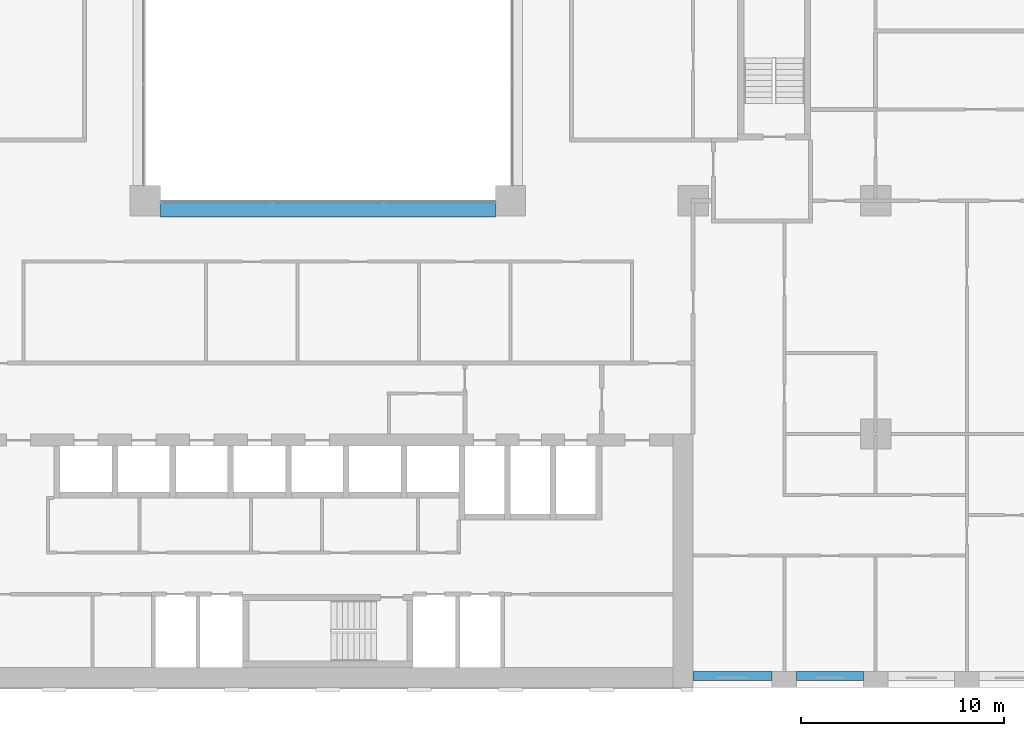
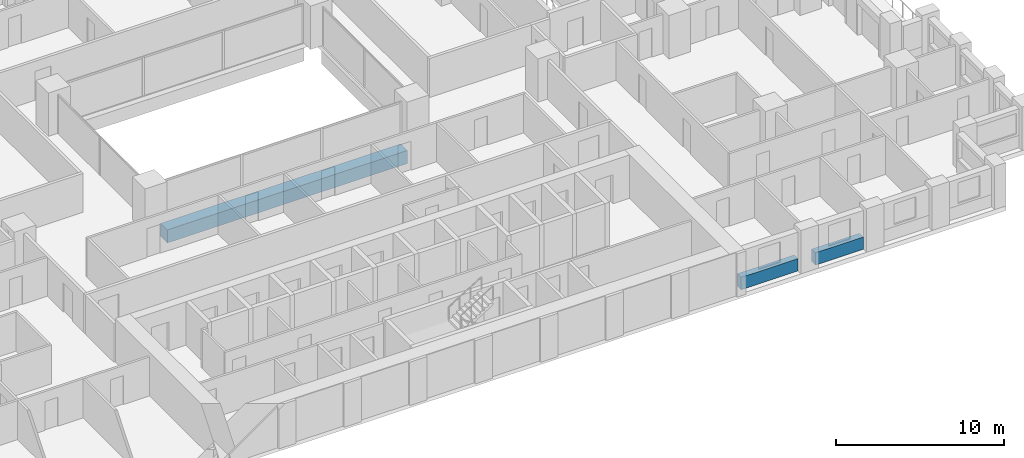
# One storey, part 3 of 21: 3 beams.
"""IFC4 building model written with IfcOpenShell, lengths in metres."""

from ifc_helpers import new_model, si_unit, direction, frame, origin, origin_2d, place, context, subcontext, project, spatial, rectangle, extrude, material, material_profile, profile_set, type_object, element, save


model = new_model("IFC4")

# Units and contexts
model_context = context("Model", 3, precision=1e-05, world=origin(), true_north=direction((0.0, 1.0)))
body_context = subcontext(model_context, "Body", "Model", "MODEL_VIEW")
ifc_project = project(units=[si_unit("LENGTHUNIT", "METRE"), si_unit("AREAUNIT", "SQUARE_METRE"), si_unit("VOLUMEUNIT", "CUBIC_METRE"), si_unit("PLANEANGLEUNIT", "RADIAN"), si_unit("MASSUNIT", "GRAM", prefix="KILO")], contexts=[model_context])

# Site, building, storey
site_placement = place(None, origin())
site = spatial("IfcSite", under=ifc_project, at=site_placement, CompositionType="ELEMENT")
building_placement = place(site_placement, origin())
building = spatial("IfcBuilding", under=site, at=building_placement, Name="Brigalow Station Residences", CompositionType="ELEMENT")
storey_placement = place(building_placement, frame((0.0, 0.0, 51.0)))
storey = spatial("IfcBuildingStorey", under=building, at=storey_placement, Name="L14", CompositionType="ELEMENT", Elevation=51.0)

# Beams
ifc_material_1 = material(Name="Concrete C65", Category="concrete")
ifc_material_profile_1 = material_profile(ifc_material_1, rectangle(XDim=0.800048828125, YDim=0.949951171875, at=origin_2d()), Name="RC800x950")
ifc_profile_set_1 = profile_set([ifc_material_profile_1], Name="Concrete C65")
beam_type_1 = type_object("IfcBeamType", Name="ATRIUM EDGE GIRDER OVER 13.5 M SPAN 800x950 C65", PredefinedType="BEAM", material=ifc_profile_set_1)
beam_1_placement = place(storey_placement, frame((27.75, 23.60009765625, -0.794921875), z_axis=(1.0, 0.0, 0.0), x_axis=(0.0, 1.0, 0.0)))
element("IfcBeam", 1, at=beam_1_placement, inside=storey, type_object=beam_type_1, Name="ATRIUM EDGE GIRDER C L14", PredefinedType="BEAM", context=body_context, shape_type="SweptSolid", body=[
    extrude(rectangle(XDim=0.800048828125, YDim=0.949951171875, at=origin_2d()), origin(), (0.0, 0.0, 1.0), 16.5),
])
ifc_material_2 = material(Name="Concrete C65", Category="concrete")
ifc_material_profile_2 = material_profile(ifc_material_2, rectangle(XDim=0.449951171875, YDim=0.89990234375, at=origin_2d()), Name="RC450x900")
ifc_profile_set_2 = profile_set([ifc_material_profile_2], Name="Concrete C65")
beam_type_2 = type_object("IfcBeamType", Name="SPANDREL BEAM 450x900 C65", PredefinedType="SPANDREL", material=ifc_profile_set_2)
beam_2_placement = place(storey_placement, frame((54.0, 0.574951171875, 0.449951171875), z_axis=(1.0, 0.0, 0.0), x_axis=(0.0, 1.0, 0.0)))
element("IfcBeam", 2, at=beam_2_placement, inside=storey, type_object=beam_type_2, Name="L14/spandrel/W-L14-5", PredefinedType="SPANDREL", context=body_context, shape_type="SweptSolid", body=[
    extrude(rectangle(XDim=0.449951171875, YDim=0.89990234375, at=origin_2d()), origin(), (0.0, 0.0, 1.0), 3.89990234375),
])
beam_3_placement = place(storey_placement, frame((59.10009765625, 0.574951171875, 0.449951171875), z_axis=(1.0, 0.0, 0.0), x_axis=(0.0, 1.0, 0.0)))
element("IfcBeam", 3, at=beam_3_placement, inside=storey, type_object=beam_type_2, Name="L14/spandrel/W-L14-6", PredefinedType="SPANDREL", context=body_context, shape_type="SweptSolid", body=[
    extrude(rectangle(XDim=0.449951171875, YDim=0.89990234375, at=origin_2d()), origin(), (0.0, 0.0, 1.0), 3.2998046875),
])

save(model, "model.ifc")
